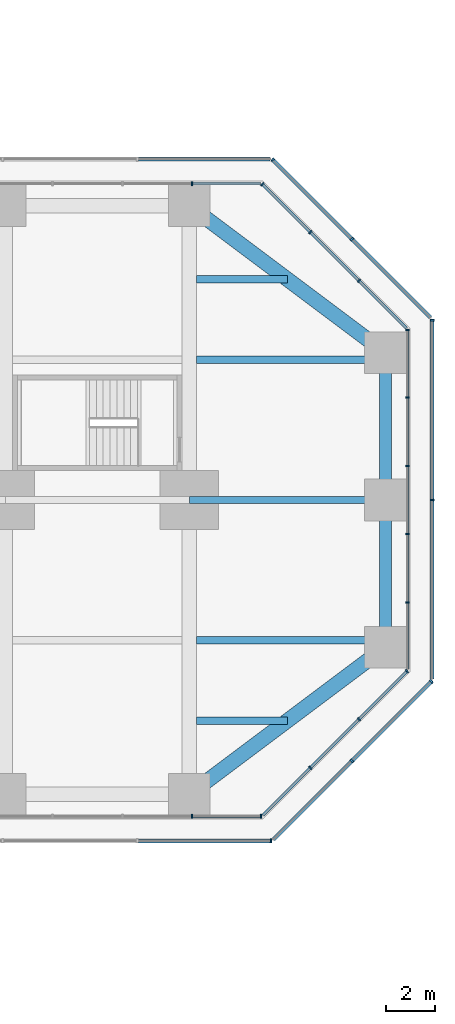
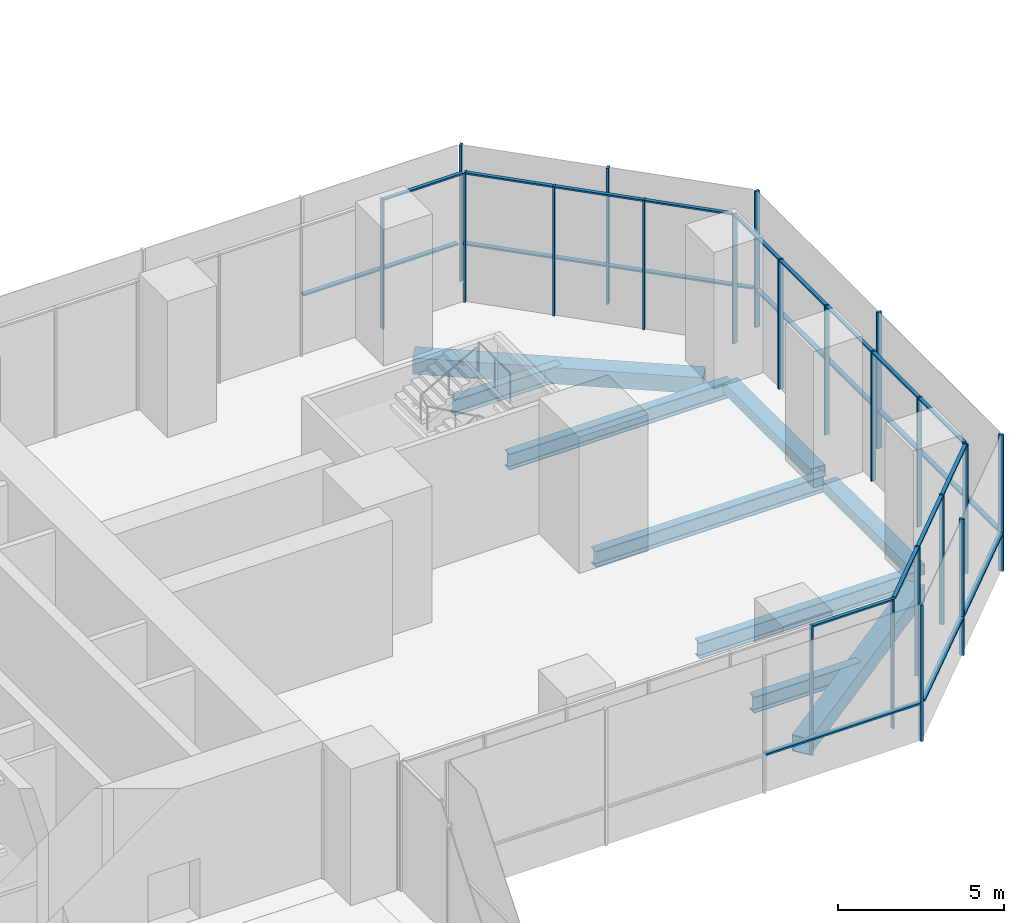
# One storey, part 11 of 23: 42 members, 9 beams, 10 elements without a shape of their own.
"""IFC4 building model written with IfcOpenShell, lengths in metres."""

from ifc_helpers import new_model, si_unit, direction, frame, origin, origin_2d, place, context, subcontext, project, spatial, rectangle, hollow_rectangle, i_section, extrude, material, material_profile, profile_set, type_object, element, aggregate, save


model = new_model("IFC4")

# Units and contexts
model_context = context("Model", 3, precision=1e-05, world=origin(), true_north=direction((0.0, 1.0)))
body_context = subcontext(model_context, "Body", "Model", "MODEL_VIEW")
ifc_project = project(units=[si_unit("LENGTHUNIT", "METRE"), si_unit("AREAUNIT", "SQUARE_METRE"), si_unit("VOLUMEUNIT", "CUBIC_METRE"), si_unit("PLANEANGLEUNIT", "RADIAN"), si_unit("MASSUNIT", "GRAM", prefix="KILO")], contexts=[model_context])

# Site, building, storey
site_placement = place(None, origin())
site = spatial("IfcSite", under=ifc_project, at=site_placement, CompositionType="ELEMENT")
building_placement = place(site_placement, origin())
building = spatial("IfcBuilding", under=site, at=building_placement, Name="Mizan Broadcast Tower", CompositionType="ELEMENT")
storey_placement = place(building_placement, frame((0.0, 0.0, 28.0)))
storey = spatial("IfcBuildingStorey", under=building, at=storey_placement, Name="L04", CompositionType="ELEMENT", Elevation=28.0)

# Beams
ifc_material_1 = material(Name="Steel S355", Category="steel")
ifc_material_profile_1 = material_profile(ifc_material_1, hollow_rectangle(XDim=0.5, YDim=0.39990234375, WallThickness=0.02490234375, at=origin_2d()), Name="BOX 400x500x25")
ifc_profile_set_1 = profile_set([ifc_material_profile_1], Name="Steel S355")
beam_type_1 = type_object("IfcBeamType", Name="EDGE BEAM BOX 400x500x25", PredefinedType="SPANDREL", material=ifc_profile_set_1)
for number, where, z_axis, x_axis, name in (
    (1, (35.0, -5.639892578125, -0.449951171875), (0.0, 1.0, 0.0), (-1.0, 0.0, 0.0), "Edge beam BOX 400x500x25 L04 east arm"),
    (2, (35.0, 5.639892578125, -0.449951171875), (0.0, -1.0, 0.0), (1.0, 0.0, 0.0), "Edge beam BOX 400x500x25 L04 east arm"),
):
    element("IfcBeam", number, at=place(storey_placement, frame(where, z_axis=z_axis, x_axis=x_axis)), inside=storey, type_object=beam_type_1, Name=name, PredefinedType="SPANDREL", context=body_context, shape_type="SweptSolid", body=[
        extrude(hollow_rectangle(XDim=0.5, YDim=0.39990234375, WallThickness=0.02490234375, at=origin_2d()), origin(), (0.0, 0.0, 1.0), 5.27978515625),
    ])
ifc_material_2 = material(Name="Steel S355", Category="steel")
ifc_material_profile_2 = material_profile(ifc_material_2, hollow_rectangle(XDim=0.60009765625, YDim=0.60009765625, WallThickness=0.030029296875, at=origin_2d()), Name="BOX 600x600x30")
ifc_profile_set_2 = profile_set([ifc_material_profile_2], Name="Steel S355")
beam_type_2 = type_object("IfcBeamType", Name="EDGE BEAM BOX 600x600x30", PredefinedType="SPANDREL", material=ifc_profile_set_2)
for number, where, z_axis, x_axis, name in (
    (3, (27.47998046875, -11.639892578125, -0.550048828125), (0.800013316712, 0.599982243973, 0.0), (-0.599982243973, 0.800013316712, 0.0), "Edge beam BOX 600x600x30 L04 east arm"),
    (4, (27.47998046875, 11.639892578125, -0.550048828125), (0.800013316712, -0.599982243973, 0.0), (0.599982243973, 0.800013316712, 0.0), "Edge beam BOX 600x600x30 L04 east arm"),
):
    element("IfcBeam", number, at=place(storey_placement, frame(where, z_axis=z_axis, x_axis=x_axis)), inside=storey, type_object=beam_type_2, Name=name, PredefinedType="SPANDREL", context=body_context, shape_type="SweptSolid", body=[
        extrude(hollow_rectangle(XDim=0.60009765625, YDim=0.60009765625, WallThickness=0.030029296875, at=origin_2d()), origin(), (0.0, 0.0, 1.0), 8.7998046875),
    ])

# Curtain wall, members
ifc_material_3 = material(Name="Aluminium framed glazing", Category="aluminium")
curtain_wall_type_1 = type_object("IfcCurtainWallType", Name="PODIUM CURTAIN WALL", PredefinedType="USERDEFINED", material=ifc_material_3)
curtain_wall_1_placement = place(storey_placement, origin())
curtain_wall_1 = element("IfcCurtainWall", 5, at=curtain_wall_1_placement, inside=storey, type_object=curtain_wall_type_1, Name="Podium curtain wall L04 E side", ObjectType="PODIUM CURTAIN WALL", PredefinedType="USERDEFINED")
ifc_material_4 = material(Name="Aluminium, pale anodised", Category="aluminium")
ifc_material_profile_3 = material_profile(ifc_material_4, rectangle(XDim=0.159912109375, YDim=0.06005859375, at=origin_2d()), Name="MULLION 160x60")
ifc_profile_set_3 = profile_set([ifc_material_profile_3], Name="Aluminium, pale anodised")
member_type_1 = type_object("IfcMemberType", Name="INNER SKIN MULLION 60x160", PredefinedType="MULLION", material=ifc_profile_set_3)
member_1_placement = place(storey_placement, frame((27.115478515625, -12.89990234375, 0.0), z_axis=(0.0, 0.0, 1.0), x_axis=(0.0, 1.0, 0.0)))
member_1 = element("IfcMember", 6, at=member_1_placement, type_object=member_type_1, Name="Podium curtain wall L04 E side mullion 6", PredefinedType="MULLION", context=body_context, shape_type="SweptSolid", body=[
    extrude(rectangle(XDim=0.159912109375, YDim=0.06005859375, at=origin_2d()), origin(), (0.0, 0.0, 1.0), 4.75),
])
member_2_placement = place(storey_placement, frame((29.928466796875, -12.89990234375, 0.0), z_axis=(0.0, 0.0, 1.0), x_axis=(0.0, 1.0, 0.0)))
member_2 = element("IfcMember", 7, at=member_2_placement, type_object=member_type_1, Name="Podium curtain wall L04 E side mullion 7", PredefinedType="MULLION", context=body_context, shape_type="SweptSolid", body=[
    extrude(rectangle(XDim=0.159912109375, YDim=0.06005859375, at=origin_2d()), origin(), (0.0, 0.0, 1.0), 4.75),
])

curtain_wall_2_placement = place(storey_placement, origin())
curtain_wall_2 = element("IfcCurtainWall", 8, at=curtain_wall_2_placement, inside=storey, type_object=curtain_wall_type_1, Name="Podium curtain wall L04 E chamfer", ObjectType="PODIUM CURTAIN WALL", PredefinedType="USERDEFINED")
member_3_placement = place(storey_placement, frame((31.93896484375, -10.91943359375, 0.0), z_axis=(0.0, 0.0, 1.0), x_axis=(-0.707106781187, 0.707106781187, 0.0)))
member_3 = element("IfcMember", 9, at=member_3_placement, type_object=member_type_1, Name="Podium curtain wall L04 E chamfer mullion 2", PredefinedType="MULLION", context=body_context, shape_type="SweptSolid", body=[
    extrude(rectangle(XDim=0.159912109375, YDim=0.06005859375, at=origin_2d()), origin(), (0.0, 0.0, 1.0), 4.75),
])
member_4_placement = place(storey_placement, frame((33.91943359375, -8.93896484375, 0.0), z_axis=(0.0, 0.0, 1.0), x_axis=(-0.707106781187, 0.707106781187, 0.0)))
member_4 = element("IfcMember", 10, at=member_4_placement, type_object=member_type_1, Name="Podium curtain wall L04 E chamfer mullion 3", PredefinedType="MULLION", context=body_context, shape_type="SweptSolid", body=[
    extrude(rectangle(XDim=0.159912109375, YDim=0.06005859375, at=origin_2d()), origin(), (0.0, 0.0, 1.0), 4.75),
])
member_5_placement = place(storey_placement, frame((35.87890625, -6.979736328125, 0.0), z_axis=(0.0, 0.0, 1.0), x_axis=(-0.707106781187, 0.707106781187, 0.0)))
member_5 = element("IfcMember", 11, at=member_5_placement, type_object=member_type_1, Name="Podium curtain wall L04 E chamfer mullion 4", PredefinedType="MULLION", context=body_context, shape_type="SweptSolid", body=[
    extrude(rectangle(XDim=0.159912109375, YDim=0.06005859375, at=origin_2d()), origin(), (0.0, 0.0, 1.0), 4.75),
])

curtain_wall_3_placement = place(storey_placement, origin())
curtain_wall_3 = element("IfcCurtainWall", 12, at=curtain_wall_3_placement, inside=storey, type_object=curtain_wall_type_1, Name="Podium curtain wall L04 E end", ObjectType="PODIUM CURTAIN WALL", PredefinedType="USERDEFINED")
member_6_placement = place(storey_placement, frame((35.89990234375, -4.175048828125, 0.0), z_axis=(0.0, 0.0, 1.0), x_axis=(-1.0, 0.0, 0.0)))
member_6 = element("IfcMember", 13, at=member_6_placement, type_object=member_type_1, Name="Podium curtain wall L04 E end mullion 2", PredefinedType="MULLION", context=body_context, shape_type="SweptSolid", body=[
    extrude(rectangle(XDim=0.159912109375, YDim=0.06005859375, at=origin_2d()), origin(), (0.0, 0.0, 1.0), 4.75),
])
member_7_placement = place(storey_placement, frame((35.89990234375, -1.3916015625, 0.0), z_axis=(0.0, 0.0, 1.0), x_axis=(-1.0, 0.0, 0.0)))
member_7 = element("IfcMember", 14, at=member_7_placement, type_object=member_type_1, Name="Podium curtain wall L04 E end mullion 3", PredefinedType="MULLION", context=body_context, shape_type="SweptSolid", body=[
    extrude(rectangle(XDim=0.159912109375, YDim=0.06005859375, at=origin_2d()), origin(), (0.0, 0.0, 1.0), 4.75),
])
member_8_placement = place(storey_placement, frame((35.89990234375, 1.3916015625, 0.0), z_axis=(0.0, 0.0, 1.0), x_axis=(-1.0, 0.0, 0.0)))
member_8 = element("IfcMember", 15, at=member_8_placement, type_object=member_type_1, Name="Podium curtain wall L04 E end mullion 4", PredefinedType="MULLION", context=body_context, shape_type="SweptSolid", body=[
    extrude(rectangle(XDim=0.159912109375, YDim=0.06005859375, at=origin_2d()), origin(), (0.0, 0.0, 1.0), 4.75),
])
member_9_placement = place(storey_placement, frame((35.89990234375, 4.175048828125, 0.0), z_axis=(0.0, 0.0, 1.0), x_axis=(-1.0, 0.0, 0.0)))
member_9 = element("IfcMember", 16, at=member_9_placement, type_object=member_type_1, Name="Podium curtain wall L04 E end mullion 5", PredefinedType="MULLION", context=body_context, shape_type="SweptSolid", body=[
    extrude(rectangle(XDim=0.159912109375, YDim=0.06005859375, at=origin_2d()), origin(), (0.0, 0.0, 1.0), 4.75),
])
member_10_placement = place(storey_placement, frame((35.89990234375, 6.928466796875, 0.0), z_axis=(0.0, 0.0, 1.0), x_axis=(-1.0, 0.0, 0.0)))
member_10 = element("IfcMember", 17, at=member_10_placement, type_object=member_type_1, Name="Podium curtain wall L04 E end mullion 6", PredefinedType="MULLION", context=body_context, shape_type="SweptSolid", body=[
    extrude(rectangle(XDim=0.159912109375, YDim=0.06005859375, at=origin_2d()), origin(), (0.0, 0.0, 1.0), 4.75),
])

curtain_wall_4_placement = place(storey_placement, origin())
curtain_wall_4 = element("IfcCurtainWall", 18, at=curtain_wall_4_placement, inside=storey, type_object=curtain_wall_type_1, Name="Podium curtain wall L04 E chamfer", ObjectType="PODIUM CURTAIN WALL", PredefinedType="USERDEFINED")
member_11_placement = place(storey_placement, frame((33.91943359375, 8.93896484375, 0.0), z_axis=(0.0, 0.0, 1.0), x_axis=(-0.707106781187, -0.707106781187, 0.0)))
member_11 = element("IfcMember", 19, at=member_11_placement, type_object=member_type_1, Name="Podium curtain wall L04 E chamfer mullion 2", PredefinedType="MULLION", context=body_context, shape_type="SweptSolid", body=[
    extrude(rectangle(XDim=0.159912109375, YDim=0.06005859375, at=origin_2d()), origin(), (0.0, 0.0, 1.0), 4.75),
])
member_12_placement = place(storey_placement, frame((31.93896484375, 10.91943359375, 0.0), z_axis=(0.0, 0.0, 1.0), x_axis=(-0.707106781187, -0.707106781187, 0.0)))
member_12 = element("IfcMember", 20, at=member_12_placement, type_object=member_type_1, Name="Podium curtain wall L04 E chamfer mullion 3", PredefinedType="MULLION", context=body_context, shape_type="SweptSolid", body=[
    extrude(rectangle(XDim=0.159912109375, YDim=0.06005859375, at=origin_2d()), origin(), (0.0, 0.0, 1.0), 4.75),
])
member_13_placement = place(storey_placement, frame((29.979736328125, 12.87890625, 0.0), z_axis=(0.0, 0.0, 1.0), x_axis=(-0.707106781187, -0.707106781187, 0.0)))
member_13 = element("IfcMember", 21, at=member_13_placement, type_object=member_type_1, Name="Podium curtain wall L04 E chamfer mullion 4", PredefinedType="MULLION", context=body_context, shape_type="SweptSolid", body=[
    extrude(rectangle(XDim=0.159912109375, YDim=0.06005859375, at=origin_2d()), origin(), (0.0, 0.0, 1.0), 4.75),
])

# Curtain wall, member
curtain_wall_5_placement = place(storey_placement, origin())
curtain_wall_5 = element("IfcCurtainWall", 22, at=curtain_wall_5_placement, inside=storey, type_object=curtain_wall_type_1, Name="Podium curtain wall L04 E side", ObjectType="PODIUM CURTAIN WALL", PredefinedType="USERDEFINED")
member_14_placement = place(storey_placement, frame((27.115478515625, 12.89990234375, 0.0), z_axis=(0.0, 0.0, 1.0), x_axis=(0.0, -1.0, 0.0)))
member_14 = element("IfcMember", 23, at=member_14_placement, type_object=member_type_1, Name="Podium curtain wall L04 E side mullion 2", PredefinedType="MULLION", context=body_context, shape_type="SweptSolid", body=[
    extrude(rectangle(XDim=0.159912109375, YDim=0.06005859375, at=origin_2d()), origin(), (0.0, 0.0, 1.0), 4.75),
])

# Member
ifc_material_5 = material(Name="Aluminium, pale anodised", Category="aluminium")
ifc_material_profile_4 = material_profile(ifc_material_5, rectangle(XDim=0.1201171875, YDim=0.06005859375, at=origin_2d()), Name="TRANSOM 120x60")
ifc_profile_set_4 = profile_set([ifc_material_profile_4], Name="Aluminium, pale anodised")
member_type_2 = type_object("IfcMemberType", Name="INNER SKIN TRANSOM 60x120", PredefinedType="USERDEFINED", material=ifc_profile_set_4)
member_15_placement = place(storey_placement, frame((27.1455078125, -12.89990234375, 4.719970703125), z_axis=(1.0, 0.0, 0.0), x_axis=(0.0, 1.0, 0.0)))
member_15 = element("IfcMember", 24, at=member_15_placement, type_object=member_type_2, Name="Podium curtain wall L04 E side transom 6.1", ObjectType="TRANSOM", PredefinedType="USERDEFINED", context=body_context, shape_type="SweptSolid", body=[
    extrude(rectangle(XDim=0.1201171875, YDim=0.06005859375, at=origin_2d()), origin(), (0.0, 0.0, 1.0), 2.753173828125),
])

aggregate(curtain_wall_1, [member_1, member_2, member_15])

member_16_placement = place(storey_placement, frame((30.0009765625, -12.857666015625, 4.719970703125), z_axis=(0.707061749709, 0.707151809797, 0.0), x_axis=(-0.707151809797, 0.707061749709, 0.0)))
member_16 = element("IfcMember", 25, at=member_16_placement, type_object=member_type_2, Name="Podium curtain wall L04 E chamfer transom 1.1", ObjectType="TRANSOM", PredefinedType="USERDEFINED", context=body_context, shape_type="SweptSolid", body=[
    extrude(rectangle(XDim=0.1201171875, YDim=0.06005859375, at=origin_2d()), origin(), (0.0, 0.0, 1.0), 2.7109375),
])

member_17_placement = place(storey_placement, frame((31.960205078125, -10.898193359375, 4.719970703125), z_axis=(0.707106781187, 0.707106781187, 0.0), x_axis=(-0.707106781187, 0.707106781187, 0.0)))
member_17 = element("IfcMember", 26, at=member_17_placement, type_object=member_type_2, Name="Podium curtain wall L04 E chamfer transom 2.1", ObjectType="TRANSOM", PredefinedType="USERDEFINED", context=body_context, shape_type="SweptSolid", body=[
    extrude(rectangle(XDim=0.1201171875, YDim=0.06005859375, at=origin_2d()), origin(), (0.0, 0.0, 1.0), 2.74072265625),
])

member_18_placement = place(storey_placement, frame((33.940673828125, -8.917724609375, 4.719970703125), z_axis=(0.707151809797, 0.707061749709, 0.0), x_axis=(-0.707061749709, 0.707151809797, 0.0)))
member_18 = element("IfcMember", 27, at=member_18_placement, type_object=member_type_2, Name="Podium curtain wall L04 E chamfer transom 3.1", ObjectType="TRANSOM", PredefinedType="USERDEFINED", context=body_context, shape_type="SweptSolid", body=[
    extrude(rectangle(XDim=0.1201171875, YDim=0.06005859375, at=origin_2d()), origin(), (0.0, 0.0, 1.0), 2.7109375),
])

aggregate(curtain_wall_2, [member_3, member_4, member_5, member_16, member_17, member_18])

member_19_placement = place(storey_placement, frame((35.89990234375, -6.898681640625, 4.719970703125), z_axis=(0.0, 1.0, 0.0), x_axis=(-1.0, 0.0, 0.0)))
member_19 = element("IfcMember", 28, at=member_19_placement, type_object=member_type_2, Name="Podium curtain wall L04 E end transom 1.1", ObjectType="TRANSOM", PredefinedType="USERDEFINED", context=body_context, shape_type="SweptSolid", body=[
    extrude(rectangle(XDim=0.1201171875, YDim=0.06005859375, at=origin_2d()), origin(), (0.0, 0.0, 1.0), 2.693603515625),
])

member_20_placement = place(storey_placement, frame((35.89990234375, -4.145263671875, 4.719970703125), z_axis=(0.0, 1.0, 0.0), x_axis=(-1.0, 0.0, 0.0)))
member_20 = element("IfcMember", 29, at=member_20_placement, type_object=member_type_2, Name="Podium curtain wall L04 E end transom 2.1", ObjectType="TRANSOM", PredefinedType="USERDEFINED", context=body_context, shape_type="SweptSolid", body=[
    extrude(rectangle(XDim=0.1201171875, YDim=0.06005859375, at=origin_2d()), origin(), (0.0, 0.0, 1.0), 2.7236328125),
])

member_21_placement = place(storey_placement, frame((35.89990234375, -1.36181640625, 4.719970703125), z_axis=(0.0, 1.0, 0.0), x_axis=(-1.0, 0.0, 0.0)))
member_21 = element("IfcMember", 30, at=member_21_placement, type_object=member_type_2, Name="Podium curtain wall L04 E end transom 3.1", ObjectType="TRANSOM", PredefinedType="USERDEFINED", context=body_context, shape_type="SweptSolid", body=[
    extrude(rectangle(XDim=0.1201171875, YDim=0.06005859375, at=origin_2d()), origin(), (0.0, 0.0, 1.0), 2.7236328125),
])

member_22_placement = place(storey_placement, frame((35.89990234375, 1.421630859375, 4.719970703125), z_axis=(0.0, 1.0, 0.0), x_axis=(-1.0, 0.0, 0.0)))
member_22 = element("IfcMember", 31, at=member_22_placement, type_object=member_type_2, Name="Podium curtain wall L04 E end transom 4.1", ObjectType="TRANSOM", PredefinedType="USERDEFINED", context=body_context, shape_type="SweptSolid", body=[
    extrude(rectangle(XDim=0.1201171875, YDim=0.06005859375, at=origin_2d()), origin(), (0.0, 0.0, 1.0), 2.7236328125),
])

member_23_placement = place(storey_placement, frame((35.89990234375, 4.205078125, 4.719970703125), z_axis=(0.0, 1.0, 0.0), x_axis=(-1.0, 0.0, 0.0)))
member_23 = element("IfcMember", 32, at=member_23_placement, type_object=member_type_2, Name="Podium curtain wall L04 E end transom 5.1", ObjectType="TRANSOM", PredefinedType="USERDEFINED", context=body_context, shape_type="SweptSolid", body=[
    extrude(rectangle(XDim=0.1201171875, YDim=0.06005859375, at=origin_2d()), origin(), (0.0, 0.0, 1.0), 2.693603515625),
])

aggregate(curtain_wall_3, [member_6, member_7, member_8, member_9, member_10, member_19, member_20, member_21, member_22, member_23])

member_24_placement = place(storey_placement, frame((35.857666015625, 7.0009765625, 4.719970703125), z_axis=(-0.707151809797, 0.707061749709, 0.0), x_axis=(-0.707061749709, -0.707151809797, 0.0)))
member_24 = element("IfcMember", 33, at=member_24_placement, type_object=member_type_2, Name="Podium curtain wall L04 E chamfer transom 1.1", ObjectType="TRANSOM", PredefinedType="USERDEFINED", context=body_context, shape_type="SweptSolid", body=[
    extrude(rectangle(XDim=0.1201171875, YDim=0.06005859375, at=origin_2d()), origin(), (0.0, 0.0, 1.0), 2.7109375),
])

member_25_placement = place(storey_placement, frame((33.898193359375, 8.960205078125, 4.719970703125), z_axis=(-0.707106781187, 0.707106781187, 0.0), x_axis=(-0.707106781187, -0.707106781187, 0.0)))
member_25 = element("IfcMember", 34, at=member_25_placement, type_object=member_type_2, Name="Podium curtain wall L04 E chamfer transom 2.1", ObjectType="TRANSOM", PredefinedType="USERDEFINED", context=body_context, shape_type="SweptSolid", body=[
    extrude(rectangle(XDim=0.1201171875, YDim=0.06005859375, at=origin_2d()), origin(), (0.0, 0.0, 1.0), 2.74072265625),
])

member_26_placement = place(storey_placement, frame((31.917724609375, 10.940673828125, 4.719970703125), z_axis=(-0.707061749709, 0.707151809797, 0.0), x_axis=(-0.707151809797, -0.707061749709, 0.0)))
member_26 = element("IfcMember", 35, at=member_26_placement, type_object=member_type_2, Name="Podium curtain wall L04 E chamfer transom 3.1", ObjectType="TRANSOM", PredefinedType="USERDEFINED", context=body_context, shape_type="SweptSolid", body=[
    extrude(rectangle(XDim=0.1201171875, YDim=0.06005859375, at=origin_2d()), origin(), (0.0, 0.0, 1.0), 2.7109375),
])

aggregate(curtain_wall_4, [member_11, member_12, member_13, member_24, member_25, member_26])

member_27_placement = place(storey_placement, frame((29.898681640625, 12.89990234375, 4.719970703125), z_axis=(-1.0, 0.0, 0.0), x_axis=(0.0, -1.0, 0.0)))
member_27 = element("IfcMember", 36, at=member_27_placement, type_object=member_type_2, Name="Podium curtain wall L04 E side transom 1.1", ObjectType="TRANSOM", PredefinedType="USERDEFINED", context=body_context, shape_type="SweptSolid", body=[
    extrude(rectangle(XDim=0.1201171875, YDim=0.06005859375, at=origin_2d()), origin(), (0.0, 0.0, 1.0), 2.753173828125),
])

aggregate(curtain_wall_5, [member_14, member_27])

# Curtain wall, member
ifc_material_6 = material(Name="Aluminium framed glazing", Category="aluminium")
curtain_wall_type_2 = type_object("IfcCurtainWallType", Name="OUTER SKIN", PredefinedType="USERDEFINED", material=ifc_material_6)
curtain_wall_6_placement = place(storey_placement, origin())
curtain_wall_6 = element("IfcCurtainWall", 37, at=curtain_wall_6_placement, inside=storey, type_object=curtain_wall_type_2, Name="Outer skin L04 E side", ObjectType="OUTER SKIN", PredefinedType="USERDEFINED")
ifc_material_7 = material(Name="Aluminium, pale anodised", Category="aluminium")
ifc_material_profile_5 = material_profile(ifc_material_7, rectangle(XDim=0.159912109375, YDim=0.080078125, at=origin_2d()), Name="MULLION 160x80")
ifc_profile_set_5 = profile_set([ifc_material_profile_5], Name="Aluminium, pale anodised")
member_type_3 = type_object("IfcMemberType", Name="OUTER SKIN MULLION 80x160", PredefinedType="MULLION", material=ifc_profile_set_5)
member_28_placement = place(storey_placement, frame((30.332763671875, -13.89990234375, 0.0), z_axis=(0.0, 0.0, 1.0), x_axis=(0.0, 1.0, 0.0)))
member_28 = element("IfcMember", 38, at=member_28_placement, type_object=member_type_3, Name="Outer skin L04 E side mullion 4", PredefinedType="MULLION", context=body_context, shape_type="SweptSolid", body=[
    extrude(rectangle(XDim=0.159912109375, YDim=0.080078125, at=origin_2d()), origin(), (0.0, 0.0, 1.0), 5.0),
])

# Curtain wall, members
curtain_wall_7_placement = place(storey_placement, origin())
curtain_wall_7 = element("IfcCurtainWall", 39, at=curtain_wall_7_placement, inside=storey, type_object=curtain_wall_type_2, Name="Outer skin L04 E chamfer", ObjectType="OUTER SKIN", PredefinedType="USERDEFINED")
member_29_placement = place(storey_placement, frame((33.636474609375, -10.636474609375, 0.0), z_axis=(0.0, 0.0, 1.0), x_axis=(-0.707106781187, 0.707106781187, 0.0)))
member_29 = element("IfcMember", 40, at=member_29_placement, type_object=member_type_3, Name="Outer skin L04 E chamfer mullion 2", PredefinedType="MULLION", context=body_context, shape_type="SweptSolid", body=[
    extrude(rectangle(XDim=0.159912109375, YDim=0.080078125, at=origin_2d()), origin(), (0.0, 0.0, 1.0), 5.0),
])
member_30_placement = place(storey_placement, frame((36.871826171875, -7.401123046875, 0.0), z_axis=(0.0, 0.0, 1.0), x_axis=(-0.707106781187, 0.707106781187, 0.0)))
member_30 = element("IfcMember", 41, at=member_30_placement, type_object=member_type_3, Name="Outer skin L04 E chamfer mullion 3", PredefinedType="MULLION", context=body_context, shape_type="SweptSolid", body=[
    extrude(rectangle(XDim=0.159912109375, YDim=0.080078125, at=origin_2d()), origin(), (0.0, 0.0, 1.0), 5.0),
])

curtain_wall_8_placement = place(storey_placement, origin())
curtain_wall_8 = element("IfcCurtainWall", 42, at=curtain_wall_8_placement, inside=storey, type_object=curtain_wall_type_2, Name="Outer skin L04 E end", ObjectType="OUTER SKIN", PredefinedType="USERDEFINED")
member_31_placement = place(storey_placement, frame((36.89990234375, 0.0, 0.0), z_axis=(0.0, 0.0, 1.0), x_axis=(-1.0, 0.0, 0.0)))
member_31 = element("IfcMember", 43, at=member_31_placement, type_object=member_type_3, Name="Outer skin L04 E end mullion 2", PredefinedType="MULLION", context=body_context, shape_type="SweptSolid", body=[
    extrude(rectangle(XDim=0.159912109375, YDim=0.080078125, at=origin_2d()), origin(), (0.0, 0.0, 1.0), 5.0),
])
member_32_placement = place(storey_placement, frame((36.89990234375, 7.332763671875, 0.0), z_axis=(0.0, 0.0, 1.0), x_axis=(-1.0, 0.0, 0.0)))
member_32 = element("IfcMember", 44, at=member_32_placement, type_object=member_type_3, Name="Outer skin L04 E end mullion 3", PredefinedType="MULLION", context=body_context, shape_type="SweptSolid", body=[
    extrude(rectangle(XDim=0.159912109375, YDim=0.080078125, at=origin_2d()), origin(), (0.0, 0.0, 1.0), 5.0),
])

curtain_wall_9_placement = place(storey_placement, origin())
curtain_wall_9 = element("IfcCurtainWall", 45, at=curtain_wall_9_placement, inside=storey, type_object=curtain_wall_type_2, Name="Outer skin L04 E chamfer", ObjectType="OUTER SKIN", PredefinedType="USERDEFINED")
member_33_placement = place(storey_placement, frame((33.636474609375, 10.636474609375, 0.0), z_axis=(0.0, 0.0, 1.0), x_axis=(-0.707106781187, -0.707106781187, 0.0)))
member_33 = element("IfcMember", 46, at=member_33_placement, type_object=member_type_3, Name="Outer skin L04 E chamfer mullion 2", PredefinedType="MULLION", context=body_context, shape_type="SweptSolid", body=[
    extrude(rectangle(XDim=0.159912109375, YDim=0.080078125, at=origin_2d()), origin(), (0.0, 0.0, 1.0), 5.0),
])
member_34_placement = place(storey_placement, frame((30.401123046875, 13.871826171875, 0.0), z_axis=(0.0, 0.0, 1.0), x_axis=(-0.707106781187, -0.707106781187, 0.0)))
member_34 = element("IfcMember", 47, at=member_34_placement, type_object=member_type_3, Name="Outer skin L04 E chamfer mullion 3", PredefinedType="MULLION", context=body_context, shape_type="SweptSolid", body=[
    extrude(rectangle(XDim=0.159912109375, YDim=0.080078125, at=origin_2d()), origin(), (0.0, 0.0, 1.0), 5.0),
])

# Member
ifc_material_8 = material(Name="Aluminium, pale anodised", Category="aluminium")
ifc_material_profile_6 = material_profile(ifc_material_8, rectangle(XDim=0.159912109375, YDim=0.06005859375, at=origin_2d()), Name="TRANSOM 160x60")
ifc_profile_set_6 = profile_set([ifc_material_profile_6], Name="Aluminium, pale anodised")
member_type_4 = type_object("IfcMemberType", Name="OUTER SKIN TRANSOM 60x160", PredefinedType="USERDEFINED", material=ifc_profile_set_6)
member_35_placement = place(storey_placement, frame((24.921875, -13.89990234375, 1.39990234375), z_axis=(1.0, 0.0, 0.0), x_axis=(0.0, 1.0, 0.0)))
member_35 = element("IfcMember", 48, at=member_35_placement, type_object=member_type_4, Name="Outer skin L04 E side transom 3.1", ObjectType="TRANSOM", PredefinedType="USERDEFINED", context=body_context, shape_type="SweptSolid", body=[
    extrude(rectangle(XDim=0.159912109375, YDim=0.06005859375, at=origin_2d()), origin(), (0.0, 0.0, 1.0), 5.370849609375),
])

aggregate(curtain_wall_6, [member_28, member_35])

member_36_placement = place(storey_placement, frame((30.429443359375, -13.843505859375, 1.39990234375), z_axis=(0.707106781187, 0.707106781187, 0.0), x_axis=(-0.707106781187, 0.707106781187, 0.0)))
member_36 = element("IfcMember", 49, at=member_36_placement, type_object=member_type_4, Name="Outer skin L04 E chamfer transom 1.1", ObjectType="TRANSOM", PredefinedType="USERDEFINED", context=body_context, shape_type="SweptSolid", body=[
    extrude(rectangle(XDim=0.159912109375, YDim=0.06005859375, at=origin_2d()), origin(), (0.0, 0.0, 1.0), 4.495361328125),
])

member_37_placement = place(storey_placement, frame((33.664794921875, -10.608154296875, 1.39990234375), z_axis=(0.707106781187, 0.707106781187, 0.0), x_axis=(-0.707106781187, 0.707106781187, 0.0)))
member_37 = element("IfcMember", 50, at=member_37_placement, type_object=member_type_4, Name="Outer skin L04 E chamfer transom 2.1", ObjectType="TRANSOM", PredefinedType="USERDEFINED", context=body_context, shape_type="SweptSolid", body=[
    extrude(rectangle(XDim=0.159912109375, YDim=0.06005859375, at=origin_2d()), origin(), (0.0, 0.0, 1.0), 4.495361328125),
])

aggregate(curtain_wall_7, [member_29, member_30, member_36, member_37])

member_38_placement = place(storey_placement, frame((36.89990234375, -7.292724609375, 1.39990234375), z_axis=(0.0, 1.0, 0.0), x_axis=(-1.0, 0.0, 0.0)))
member_38 = element("IfcMember", 51, at=member_38_placement, type_object=member_type_4, Name="Outer skin L04 E end transom 1.1", ObjectType="TRANSOM", PredefinedType="USERDEFINED", context=body_context, shape_type="SweptSolid", body=[
    extrude(rectangle(XDim=0.159912109375, YDim=0.06005859375, at=origin_2d()), origin(), (0.0, 0.0, 1.0), 7.252685546875),
])

member_39_placement = place(storey_placement, frame((36.89990234375, 0.0400390625, 1.39990234375), z_axis=(0.0, 1.0, 0.0), x_axis=(-1.0, 0.0, 0.0)))
member_39 = element("IfcMember", 52, at=member_39_placement, type_object=member_type_4, Name="Outer skin L04 E end transom 2.1", ObjectType="TRANSOM", PredefinedType="USERDEFINED", context=body_context, shape_type="SweptSolid", body=[
    extrude(rectangle(XDim=0.159912109375, YDim=0.06005859375, at=origin_2d()), origin(), (0.0, 0.0, 1.0), 7.252685546875),
])

aggregate(curtain_wall_8, [member_31, member_32, member_38, member_39])

member_40_placement = place(storey_placement, frame((36.843505859375, 7.429443359375, 1.39990234375), z_axis=(-0.707106781187, 0.707106781187, 0.0), x_axis=(-0.707106781187, -0.707106781187, 0.0)))
member_40 = element("IfcMember", 53, at=member_40_placement, type_object=member_type_4, Name="Outer skin L04 E chamfer transom 1.1", ObjectType="TRANSOM", PredefinedType="USERDEFINED", context=body_context, shape_type="SweptSolid", body=[
    extrude(rectangle(XDim=0.159912109375, YDim=0.06005859375, at=origin_2d()), origin(), (0.0, 0.0, 1.0), 4.495361328125),
])

member_41_placement = place(storey_placement, frame((33.608154296875, 10.664794921875, 1.39990234375), z_axis=(-0.707106781187, 0.707106781187, 0.0), x_axis=(-0.707106781187, -0.707106781187, 0.0)))
member_41 = element("IfcMember", 54, at=member_41_placement, type_object=member_type_4, Name="Outer skin L04 E chamfer transom 2.1", ObjectType="TRANSOM", PredefinedType="USERDEFINED", context=body_context, shape_type="SweptSolid", body=[
    extrude(rectangle(XDim=0.159912109375, YDim=0.06005859375, at=origin_2d()), origin(), (0.0, 0.0, 1.0), 4.495361328125),
])

aggregate(curtain_wall_9, [member_33, member_34, member_40, member_41])

# Curtain wall, member
curtain_wall_10_placement = place(storey_placement, origin())
curtain_wall_10 = element("IfcCurtainWall", 55, at=curtain_wall_10_placement, inside=storey, type_object=curtain_wall_type_2, Name="Outer skin L04 E side", ObjectType="OUTER SKIN", PredefinedType="USERDEFINED")
member_42_placement = place(storey_placement, frame((30.292724609375, 13.89990234375, 1.39990234375), z_axis=(-1.0, 0.0, 0.0), x_axis=(0.0, -1.0, 0.0)))
member_42 = element("IfcMember", 56, at=member_42_placement, type_object=member_type_4, Name="Outer skin L04 E side transom 1.1", ObjectType="TRANSOM", PredefinedType="USERDEFINED", context=body_context, shape_type="SweptSolid", body=[
    extrude(rectangle(XDim=0.159912109375, YDim=0.06005859375, at=origin_2d()), origin(), (0.0, 0.0, 1.0), 5.370849609375),
])
aggregate(curtain_wall_10, [member_42])

# Beams
ifc_material_9 = material(Name="Steel S355", Category="steel")
ifc_material_profile_7 = material_profile(ifc_material_9, i_section(OverallWidth=0.300048828125, OverallDepth=0.590087890625, WebThickness=0.012939453125, FlangeThickness=0.02490234375, FilletRadius=0.027099609375, at=origin_2d()), Name="HEA 600")
ifc_profile_set_7 = profile_set([ifc_material_profile_7], Name="Steel S355")
beam_type_3 = type_object("IfcBeamType", Name="SECONDARY BEAM HEA 600", PredefinedType="JOIST", material=ifc_profile_set_7)
beam_1_placement = place(storey_placement, frame((27.300048828125, -5.71435546875, -0.544921875), z_axis=(1.0, 0.0, 0.0), x_axis=(0.0, 1.0, 0.0)))
element("IfcBeam", 57, at=beam_1_placement, inside=storey, type_object=beam_type_3, Name="Secondary beam HEA 600 L04 east arm", PredefinedType="JOIST", context=body_context, shape_type="SweptSolid", body=[
    extrude(i_section(OverallWidth=0.300048828125, OverallDepth=0.590087890625, WebThickness=0.012939453125, FlangeThickness=0.02490234375, FilletRadius=0.027099609375, at=origin_2d()), origin(), (0.0, 0.0, 1.0), 7.699951171875),
])
beam_2_placement = place(storey_placement, frame((27.300048828125, -9.0, -0.544921875), z_axis=(1.0, 0.0, 0.0), x_axis=(0.0, 1.0, 0.0)))
element("IfcBeam", 58, at=beam_2_placement, inside=storey, type_object=beam_type_3, Name="Secondary beam HEA 600 L04 east arm", PredefinedType="JOIST", context=body_context, shape_type="SweptSolid", body=[
    extrude(i_section(OverallWidth=0.300048828125, OverallDepth=0.590087890625, WebThickness=0.012939453125, FlangeThickness=0.02490234375, FilletRadius=0.027099609375, at=origin_2d()), origin(), (0.0, 0.0, 1.0), 3.699951171875),
])
beam_3_placement = place(storey_placement, frame((27.0, 0.0, -0.544921875), z_axis=(1.0, 0.0, 0.0), x_axis=(0.0, 1.0, 0.0)))
element("IfcBeam", 59, at=beam_3_placement, inside=storey, type_object=beam_type_3, Name="Secondary beam HEA 600 L04 east arm", PredefinedType="JOIST", context=body_context, shape_type="SweptSolid", body=[
    extrude(i_section(OverallWidth=0.300048828125, OverallDepth=0.590087890625, WebThickness=0.012939453125, FlangeThickness=0.02490234375, FilletRadius=0.027099609375, at=origin_2d()), origin(), (0.0, 0.0, 1.0), 8.0),
])
beam_4_placement = place(storey_placement, frame((27.300048828125, 5.71435546875, -0.544921875), z_axis=(1.0, 0.0, 0.0), x_axis=(0.0, 1.0, 0.0)))
element("IfcBeam", 60, at=beam_4_placement, inside=storey, type_object=beam_type_3, Name="Secondary beam HEA 600 L04 east arm", PredefinedType="JOIST", context=body_context, shape_type="SweptSolid", body=[
    extrude(i_section(OverallWidth=0.300048828125, OverallDepth=0.590087890625, WebThickness=0.012939453125, FlangeThickness=0.02490234375, FilletRadius=0.027099609375, at=origin_2d()), origin(), (0.0, 0.0, 1.0), 7.699951171875),
])
beam_5_placement = place(storey_placement, frame((27.300048828125, 9.0, -0.544921875), z_axis=(1.0, 0.0, 0.0), x_axis=(0.0, 1.0, 0.0)))
element("IfcBeam", 61, at=beam_5_placement, inside=storey, type_object=beam_type_3, Name="Secondary beam HEA 600 L04 east arm", PredefinedType="JOIST", context=body_context, shape_type="SweptSolid", body=[
    extrude(i_section(OverallWidth=0.300048828125, OverallDepth=0.590087890625, WebThickness=0.012939453125, FlangeThickness=0.02490234375, FilletRadius=0.027099609375, at=origin_2d()), origin(), (0.0, 0.0, 1.0), 3.699951171875),
])

save(model, "model.ifc")
